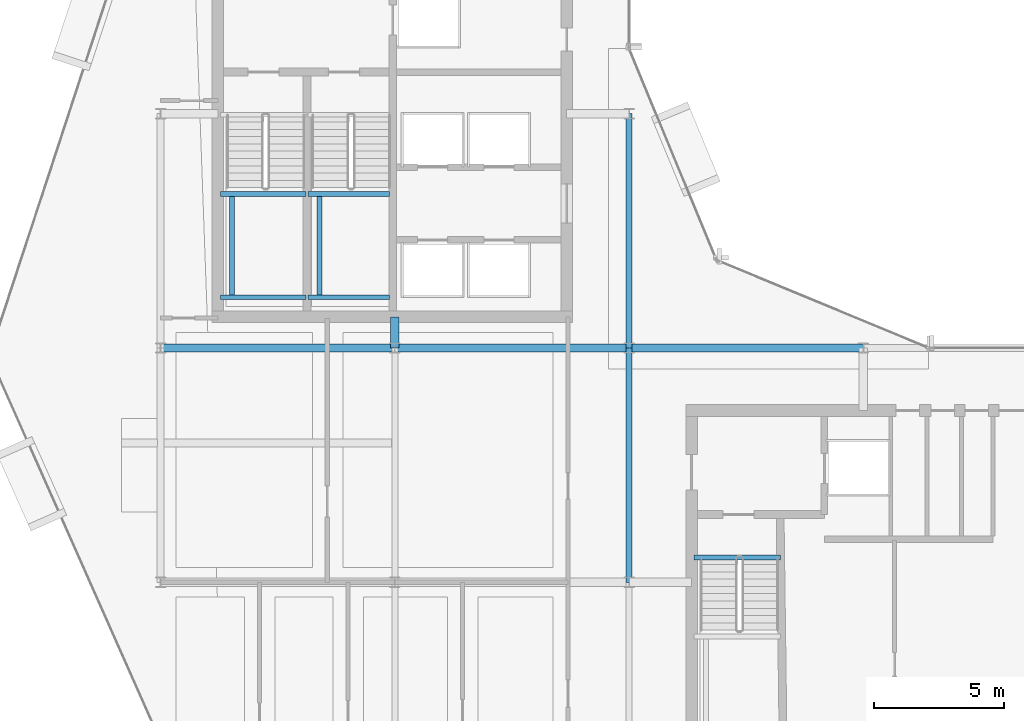
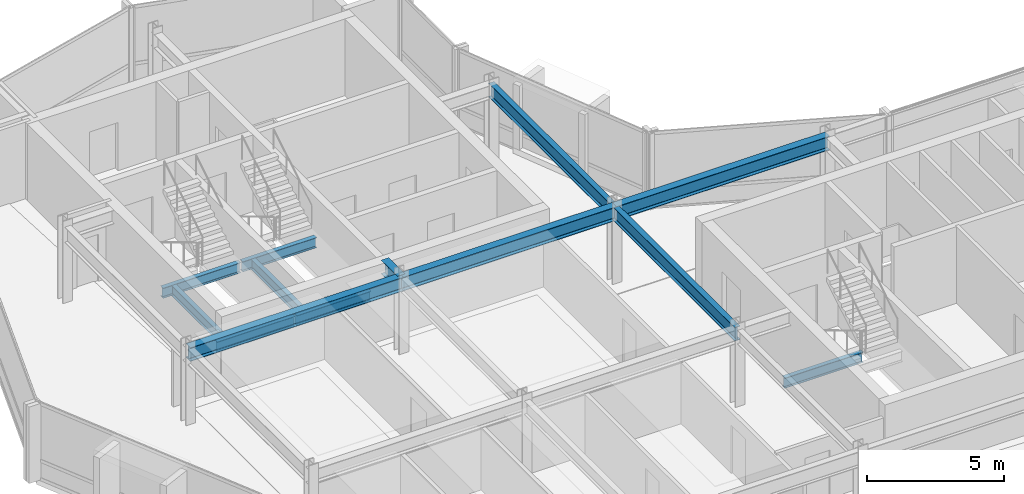
# One storey, part 7 of 27: 13 beams.
"""IFC4 building model written with IfcOpenShell, lengths in metres."""

from ifc_helpers import new_model, si_unit, direction, frame, origin, origin_2d, place, context, subcontext, project, spatial, i_section, extrude, material, material_profile, profile_set, type_object, element, save


model = new_model("IFC4")

# Units and contexts
model_context = context("Model", 3, precision=1e-05, world=origin(), true_north=direction((0.0, 1.0)))
body_context = subcontext(model_context, "Body", "Model", "MODEL_VIEW")
ifc_project = project(units=[si_unit("LENGTHUNIT", "METRE"), si_unit("AREAUNIT", "SQUARE_METRE"), si_unit("VOLUMEUNIT", "CUBIC_METRE"), si_unit("PLANEANGLEUNIT", "RADIAN"), si_unit("MASSUNIT", "GRAM", prefix="KILO")], contexts=[model_context])

# Site, building, storey
site_placement = place(None, origin())
site = spatial("IfcSite", under=ifc_project, at=site_placement, CompositionType="ELEMENT")
building_placement = place(site_placement, origin())
building = spatial("IfcBuilding", under=site, at=building_placement, Name="Solvaryn Broadcast Tower", CompositionType="ELEMENT")
storey_placement = place(building_placement, frame((0.0, 0.0, 224.699951171875)))
storey = spatial("IfcBuildingStorey", under=building, at=storey_placement, Name="L56", CompositionType="ELEMENT", Elevation=224.699951171875)

# Beams
ifc_material_1 = material(Name="Steel ASTM A992 Grade 50", Category="steel")
ifc_material_profile_1 = material_profile(ifc_material_1, i_section(OverallWidth=0.323974609375, OverallDepth=0.611083984375, WebThickness=0.0126953125, FlangeThickness=0.01904296875, FilletRadius=0.014892578125, at=origin_2d()))
ifc_profile_set_1 = profile_set([ifc_material_profile_1], Name="Steel ASTM A992 Grade 50")
beam_type_1 = type_object("IfcBeamType", Name="BM-B1-W24X104", PredefinedType="BEAM", material=ifc_profile_set_1)
for number, where, z_axis, x_axis, name in (
    (1, (9.0, 27.0, 3.114501953125), (1.0, 0.0, 0.0), (0.0, 1.0, 0.0), "L56 Primary Beam X (9-18 @ Y=27)"),
    (2, (18.0, 27.0, 3.114501953125), (1.0, 0.0, 0.0), (0.0, 1.0, 0.0), "L56 Primary Beam X (18-27 @ Y=27)"),
    (3, (27.0, 27.0, 3.114501953125), (1.0, 0.0, 0.0), (0.0, 1.0, 0.0), "L56 Primary Beam X (27-36 @ Y=27)"),
):
    element("IfcBeam", number, at=place(storey_placement, frame(where, z_axis=z_axis, x_axis=x_axis)), inside=storey, type_object=beam_type_1, Name=name, PredefinedType="BEAM", context=body_context, shape_type="SweptSolid", body=[
        extrude(i_section(OverallWidth=0.323974609375, OverallDepth=0.611083984375, WebThickness=0.0126953125, FlangeThickness=0.01904296875, FilletRadius=0.014892578125, at=origin_2d()), origin(), (0.0, 0.0, 1.0), 9.0),
    ])
beam_1_placement = place(storey_placement, frame((18.0, 27.0, 3.114501953125), z_axis=(0.0, 1.0, 0.0), x_axis=(-1.0, 0.0, 0.0)))
element("IfcBeam", 4, at=beam_1_placement, inside=storey, type_object=beam_type_1, Name="L56 Core Tie Beam CTW4", PredefinedType="BEAM", context=body_context, shape_type="SweptSolid", body=[
    extrude(i_section(OverallWidth=0.323974609375, OverallDepth=0.611083984375, WebThickness=0.0126953125, FlangeThickness=0.01904296875, FilletRadius=0.014892578125, at=origin_2d()), origin(), (0.0, 0.0, 1.0), 1.199951171875),
])
ifc_material_2 = material(Name="Steel ASTM A992 Grade 50", Category="steel")
ifc_material_profile_2 = material_profile(ifc_material_2, i_section(OverallWidth=0.22802734375, OverallDepth=0.60791015625, WebThickness=0.01123046875, FlangeThickness=0.017333984375, FilletRadius=0.014892578125, at=origin_2d()))
ifc_profile_set_2 = profile_set([ifc_material_profile_2], Name="Steel ASTM A992 Grade 50")
beam_type_2 = type_object("IfcBeamType", Name="BM-B2-W24X76", PredefinedType="BEAM", material=ifc_profile_set_2)
for number, where, z_axis, x_axis, name in (
    (5, (27.0, 18.0, 3.115966796875), (0.0, 1.0, 0.0), (-1.0, 0.0, 0.0), "L56 Primary Beam Y (18-27 @ X=27)"),
    (6, (27.0, 27.0, 3.115966796875), (0.0, 1.0, 0.0), (-1.0, 0.0, 0.0), "L56 Primary Beam Y (27-36 @ X=27)"),
):
    element("IfcBeam", number, at=place(storey_placement, frame(where, z_axis=z_axis, x_axis=x_axis)), inside=storey, type_object=beam_type_2, Name=name, PredefinedType="BEAM", context=body_context, shape_type="SweptSolid", body=[
        extrude(i_section(OverallWidth=0.22802734375, OverallDepth=0.60791015625, WebThickness=0.01123046875, FlangeThickness=0.017333984375, FilletRadius=0.014892578125, at=origin_2d()), origin(), (0.0, 0.0, 1.0), 9.0),
    ])
ifc_material_3 = material(Name="Steel ASTM A992 Grade 50", Category="steel")
ifc_material_profile_3 = material_profile(ifc_material_3, i_section(OverallWidth=0.18994140625, OverallDepth=0.45703125, WebThickness=0.009033203125, FlangeThickness=0.014404296875, FilletRadius=0.011962890625, at=origin_2d()))
ifc_profile_set_3 = profile_set([ifc_material_profile_3], Name="Steel ASTM A992 Grade 50")
beam_type_3 = type_object("IfcBeamType", Name="BM-B4-W18X50", PredefinedType="BEAM", material=ifc_profile_set_3)
for number, where, z_axis, x_axis, name in (
    (7, (11.300048828125, 28.949951171875, 1.421630859375), (1.0, 0.0, 0.0), (0.0, 1.0, 0.0), "L56 ST1 Landing Support Beam 1A"),
    (8, (11.300048828125, 32.909912109375, 1.421630859375), (1.0, 0.0, 0.0), (0.0, 1.0, 0.0), "L56 ST1 Landing Support Beam 1B"),
):
    element("IfcBeam", number, at=place(storey_placement, frame(where, z_axis=z_axis, x_axis=x_axis)), inside=storey, type_object=beam_type_3, Name=name, PredefinedType="BEAM", context=body_context, shape_type="SweptSolid", body=[
        extrude(i_section(OverallWidth=0.18994140625, OverallDepth=0.45703125, WebThickness=0.009033203125, FlangeThickness=0.014404296875, FilletRadius=0.011962890625, at=origin_2d()), origin(), (0.0, 0.0, 1.0), 3.280029296875),
    ])
beam_2_placement = place(storey_placement, frame((11.75, 28.949951171875, 1.421630859375), z_axis=(0.0, 1.0, 0.0), x_axis=(-1.0, 0.0, 0.0)))
element("IfcBeam", 9, at=beam_2_placement, inside=storey, type_object=beam_type_3, Name="L56 ST1 Landing Cross Stringer 1C", PredefinedType="BEAM", context=body_context, shape_type="SweptSolid", body=[
    extrude(i_section(OverallWidth=0.18994140625, OverallDepth=0.45703125, WebThickness=0.009033203125, FlangeThickness=0.014404296875, FilletRadius=0.011962890625, at=origin_2d()), origin(), (0.0, 0.0, 1.0), 3.9599609375),
])
for number, where, z_axis, x_axis, name in (
    (10, (14.659912109375, 28.949951171875, 1.421630859375), (1.0, 0.0, 0.0), (0.0, 1.0, 0.0), "L56 ST2 Landing Support Beam 1A"),
    (11, (14.659912109375, 32.909912109375, 1.421630859375), (1.0, 0.0, 0.0), (0.0, 1.0, 0.0), "L56 ST2 Landing Support Beam 1B"),
):
    element("IfcBeam", number, at=place(storey_placement, frame(where, z_axis=z_axis, x_axis=x_axis)), inside=storey, type_object=beam_type_3, Name=name, PredefinedType="BEAM", context=body_context, shape_type="SweptSolid", body=[
        extrude(i_section(OverallWidth=0.18994140625, OverallDepth=0.45703125, WebThickness=0.009033203125, FlangeThickness=0.014404296875, FilletRadius=0.011962890625, at=origin_2d()), origin(), (0.0, 0.0, 1.0), 3.14013671875),
    ])
beam_3_placement = place(storey_placement, frame((15.110107421875, 28.949951171875, 1.421630859375), z_axis=(0.0, 1.0, 0.0), x_axis=(-1.0, 0.0, 0.0)))
element("IfcBeam", 12, at=beam_3_placement, inside=storey, type_object=beam_type_3, Name="L56 ST2 Landing Cross Stringer 1C", PredefinedType="BEAM", context=body_context, shape_type="SweptSolid", body=[
    extrude(i_section(OverallWidth=0.18994140625, OverallDepth=0.45703125, WebThickness=0.009033203125, FlangeThickness=0.014404296875, FilletRadius=0.011962890625, at=origin_2d()), origin(), (0.0, 0.0, 1.0), 3.9599609375),
])
beam_4_placement = place(storey_placement, frame((29.5, 18.9599609375, -0.508544921875), z_axis=(1.0, 0.0, 0.0), x_axis=(0.0, 1.0, 0.0)))
element("IfcBeam", 13, at=beam_4_placement, inside=storey, type_object=beam_type_3, Name="L56 ST3 Stair Well Trimmer Beam", PredefinedType="BEAM", context=body_context, shape_type="SweptSolid", body=[
    extrude(i_section(OverallWidth=0.18994140625, OverallDepth=0.45703125, WebThickness=0.009033203125, FlangeThickness=0.014404296875, FilletRadius=0.011962890625, at=origin_2d()), origin(), (0.0, 0.0, 1.0), 3.320068359375),
])

save(model, "model.ifc")
